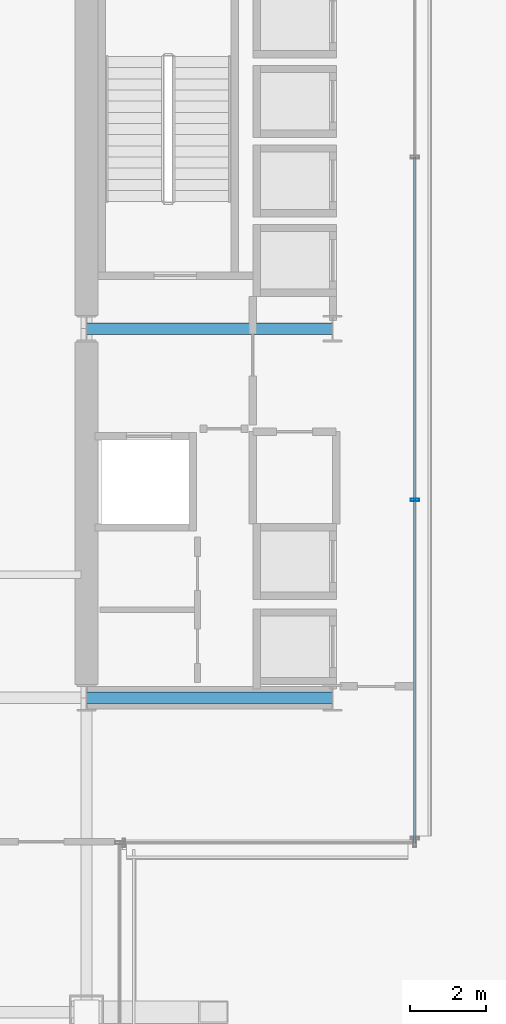
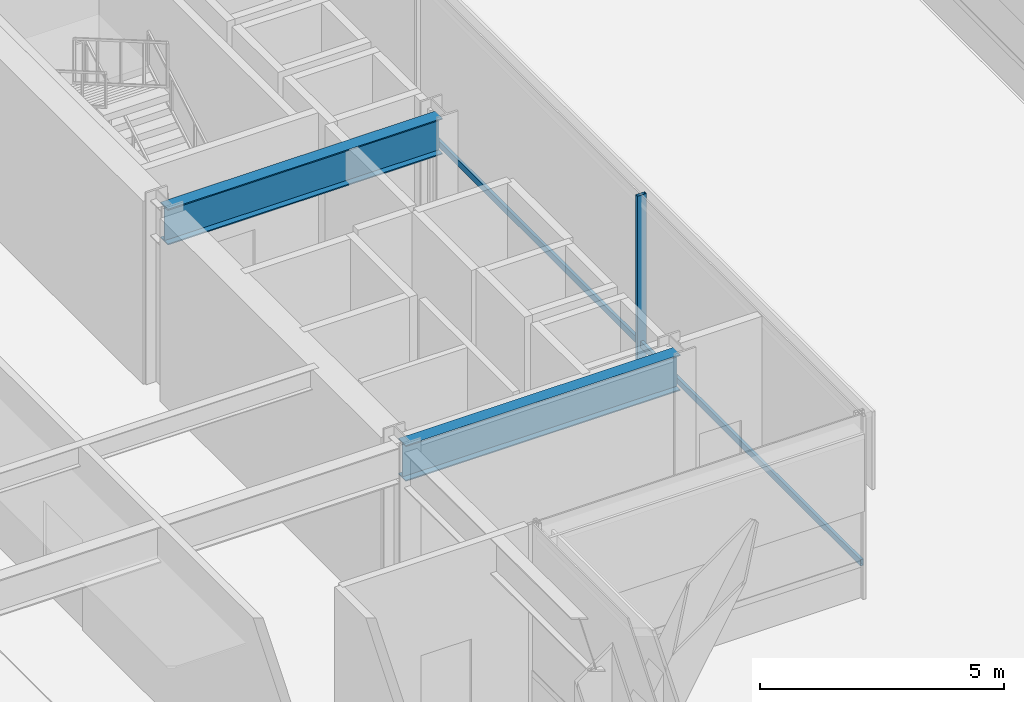
# One storey, part 6 of 37: 3 members, 2 beams, 1 element without a shape of its own.
"""IFC4 building model written with IfcOpenShell, lengths in metres."""

import ifcopenshell
import ifcopenshell.guid

model = None  # the IFC model being written
_history = None  # IfcOwnerHistory: only IFC2X3 demands one
_inside = {}  # id of a spatial element -> (the spatial element, [elements in it])
_under = {}  # id of a project, library or spatial element -> (it, [spatial elements below it])
_declared = {}  # id of a project -> (the project, [libraries it declares])
_typed = {}  # id of a type object -> (the type object, [elements of that type])
_made_of = {}  # id of a material, layer set ... -> (it, [elements and type objects made of it])


def new_model(schema):
    """Start an empty IFC model of exactly this schema.

    Asked for "IFC4X3", IfcOpenShell would pick the latest addendum, in which some entities
    have other attributes; the version numbers below select the first issue.
    IFC2X3 requires an IfcOwnerHistory on every rooted entity: one is made here for all.
    """
    global model, _history
    if schema == "IFC4X3":
        model = ifcopenshell.file(schema_version=(4, 3, 0, 0))
    else:
        model = ifcopenshell.file(schema=schema)
    _inside.clear()
    _under.clear()
    _declared.clear()
    _typed.clear()
    _made_of.clear()
    _history = None
    if model.schema == "IFC2X3":
        org = make("IfcOrganization", Name="unknown")
        user = make(
            "IfcPersonAndOrganization",
            ThePerson=make("IfcPerson", FamilyName="unknown"),
            TheOrganization=org,
        )
        app = make(
            "IfcApplication",
            ApplicationDeveloper=org,
            Version="unknown",
            ApplicationFullName="unknown",
            ApplicationIdentifier="unknown",
        )
        _history = make(
            "IfcOwnerHistory",
            OwningUser=user,
            OwningApplication=app,
            ChangeAction="ADDED",
            CreationDate=0,
        )
    return model


def make(cls, **values):
    """One entity of the class cls with the attributes given. An attribute that is None is left unset."""
    return model.create_entity(
        cls, **{name: value for name, value in values.items() if value is not None}
    )


def rooted(cls, **values):
    """An entity with a GlobalId (a new one), such as an element, a storey or a relation."""
    return make(cls, GlobalId=ifcopenshell.guid.new(), OwnerHistory=_history, **values)


def si_unit(unit_type, name, prefix=None):
    """IfcSIUnit, for example si_unit("LENGTHUNIT", "METRE", prefix="MILLI")."""
    return make("IfcSIUnit", UnitType=unit_type, Prefix=prefix, Name=name)


def assignment(units):
    """IfcUnitAssignment: the units of a project."""
    return None if units is None else make("IfcUnitAssignment", Units=units)


def point(xyz):
    """IfcCartesianPoint."""
    return None if xyz is None else make("IfcCartesianPoint", Coordinates=xyz)


def direction(xyz):
    """IfcDirection."""
    return None if xyz is None else make("IfcDirection", DirectionRatios=xyz)


def frame(location, z_axis=None, x_axis=None):
    """IfcAxis2Placement3D, a coordinate frame: its origin and axes. An axis left out is left unset."""
    return make(
        "IfcAxis2Placement3D",
        Location=point(location),
        Axis=direction(z_axis),
        RefDirection=direction(x_axis),
    )


def frame_2d(location, x_axis=None):
    """IfcAxis2Placement2D, a coordinate frame in the plane: its origin and x axis."""
    return make(
        "IfcAxis2Placement2D", Location=point(location), RefDirection=direction(x_axis)
    )


def origin():
    """The frame at (0, 0, 0) with its axes left unset."""
    return frame((0.0, 0.0, 0.0))


def origin_2d():
    """The frame at (0, 0) in the plane with its x axis left unset."""
    return frame_2d((0.0, 0.0))


def place(relative_to, where):
    """IfcLocalPlacement: puts the frame where relative to a parent placement (None: the world)."""
    return make(
        "IfcLocalPlacement", PlacementRelTo=relative_to, RelativePlacement=where
    )


def context(
    kind, dimensions, precision=None, world=None, true_north=None, identifier=None
):
    """IfcGeometricRepresentationContext, for example the 3D "Model" context."""
    return make(
        "IfcGeometricRepresentationContext",
        ContextIdentifier=identifier,
        ContextType=kind,
        CoordinateSpaceDimension=dimensions,
        Precision=precision,
        WorldCoordinateSystem=world,
        TrueNorth=true_north,
    )


def subcontext(parent, identifier, kind, view, scale=None):
    """IfcGeometricRepresentationSubContext, for example "Body" below "Model"."""
    return make(
        "IfcGeometricRepresentationSubContext",
        ContextIdentifier=identifier,
        ContextType=kind,
        ParentContext=parent,
        TargetScale=scale,
        TargetView=view,
    )


def project(units=None, contexts=None):
    """IfcProject with its units and contexts."""
    return rooted(
        "IfcProject",
        Name="project",
        RepresentationContexts=contexts,
        UnitsInContext=assignment(units),
    )


def spatial(cls, under=None, at=None, **own):
    """A site, building, storey or space (cls), placed at a placement, below another one or the project."""
    s = rooted(cls, ObjectPlacement=at, **own)
    if under is not None:
        _under.setdefault(under.id(), (under, []))[1].append(s)
    return s


def profile(cls, at=None, kind="AREA", **sizes):
    """A parametric profile (cls). Its sizes go by their IFC names, for example OverallWidth=200.0."""
    return make(cls, ProfileType=kind, Position=at, **sizes)


def hollow_rectangle(**sizes):
    """IfcRectangleHollowProfileDef."""
    return profile("IfcRectangleHollowProfileDef", **sizes)


def i_section(**sizes):
    """IfcIShapeProfileDef."""
    return profile("IfcIShapeProfileDef", **sizes)


def extrude(swept, where, along, depth):
    """IfcExtrudedAreaSolid: the profile swept, set in the frame where, extruded along a direction by depth."""
    return make(
        "IfcExtrudedAreaSolid",
        SweptArea=swept,
        Position=where,
        ExtrudedDirection=direction(along),
        Depth=depth,
    )


def shape(context_of_items, identifier, shape_type, items):
    """IfcShapeRepresentation: the items that make up one representation, for example the "Body"."""
    return make(
        "IfcShapeRepresentation",
        ContextOfItems=context_of_items,
        RepresentationIdentifier=identifier,
        RepresentationType=shape_type,
        Items=items,
    )


def material(Name=None, Category=None):
    """IfcMaterial."""
    return make("IfcMaterial", Name=Name, Category=Category)


def layer(
    of_material, thickness, ventilated=None, Name=None, Category=None, Priority=None
):
    """IfcMaterialLayer: one layer of a wall or slab, of a material (None: an air gap)."""
    return make(
        "IfcMaterialLayer",
        Material=of_material,
        LayerThickness=thickness,
        IsVentilated=ventilated,
        Name=Name,
        Category=Category,
        Priority=Priority,
    )


def layer_set(layers, Name=None):
    """IfcMaterialLayerSet."""
    return make("IfcMaterialLayerSet", MaterialLayers=layers, LayerSetName=Name)


def material_profile(
    of_material, cross_section, Name=None, Category=None, Priority=None
):
    """IfcMaterialProfile: a cross section and its material."""
    return make(
        "IfcMaterialProfile",
        Name=Name,
        Material=of_material,
        Profile=cross_section,
        Priority=Priority,
        Category=Category,
    )


def profile_set(profiles, Name=None, composite=None):
    """IfcMaterialProfileSet."""
    return make(
        "IfcMaterialProfileSet",
        Name=Name,
        MaterialProfiles=profiles,
        CompositeProfile=composite,
    )


def made_of(thing, what):
    """Note that an element or type object is made of a material, layer set ...; save() writes the relation."""
    if what is not None:
        _made_of.setdefault(what.id(), (what, []))[1].append(thing)
    return thing


def type_object(cls, material=None, **own):
    """A type object (cls), such as IfcWallType, which elements share."""
    return made_of(rooted(cls, **own), material)


def element(
    cls,
    number,
    at=None,
    inside=None,
    cuts=None,
    type_object=None,
    material=None,
    context=None,
    identifier="Body",
    shape_type=None,
    held_by="IfcProductDefinitionShape",
    body=None,
    shapes=None,
    **own,
):
    """One element of the class cls, such as IfcWall. Its Tag is "e" and its number.

    at: its placement. inside: the storey or other place that contains it. cuts: it is an
    opening in that element (IfcRelVoidsElement). A single representation is given by context,
    identifier, shape_type and body (its items); several are given by shapes. held_by: the class
    of the entity that holds the representations. save() writes the other relations.
    """
    e = rooted(cls, Tag="e%d" % number, ObjectPlacement=at, **own)
    if body is not None:
        shapes = [shape(context, identifier, shape_type, body)]
    if shapes is not None:
        e.Representation = make(held_by, Representations=shapes)
    if inside is not None:
        _inside.setdefault(inside.id(), (inside, []))[1].append(e)
    if cuts is not None:
        rooted(
            "IfcRelVoidsElement", RelatingBuildingElement=cuts, RelatedOpeningElement=e
        )
    if type_object is not None:
        _typed.setdefault(type_object.id(), (type_object, []))[1].append(e)
    return made_of(e, material)


def aggregate(whole, parts):
    """IfcRelAggregates: a whole, such as a stair, and the parts it consists of."""
    return rooted("IfcRelAggregates", RelatingObject=whole, RelatedObjects=parts)


def save(model, path):
    """Write the relations noted so far, then the file.

    IfcRelAggregates (storeys below a building ...), IfcRelContainedInSpatialStructure (elements
    in a storey), IfcRelDefinesByType, IfcRelAssociatesMaterial and IfcRelDeclares: one each for
    every whole, place, type object, material and project.
    """
    for whole, parts in _under.values():
        aggregate(whole, parts)
    for where, things in _inside.values():
        rooted(
            "IfcRelContainedInSpatialStructure",
            RelatedElements=things,
            RelatingStructure=where,
        )
    for kind, things in _typed.values():
        rooted("IfcRelDefinesByType", RelatedObjects=things, RelatingType=kind)
    for what, things in _made_of.values():
        rooted("IfcRelAssociatesMaterial", RelatedObjects=things, RelatingMaterial=what)
    for by, libraries in _declared.values():
        rooted("IfcRelDeclares", RelatingContext=by, RelatedDefinitions=libraries)
    model.write(path)


model = new_model("IFC4")

# Units and contexts
model_context = context("Model", 3, precision=1e-05, world=origin(), true_north=direction((0.0, 1.0)))
body_context = subcontext(model_context, "Body", "Model", "MODEL_VIEW")
ifc_project = project(units=[si_unit("LENGTHUNIT", "METRE"), si_unit("AREAUNIT", "SQUARE_METRE"), si_unit("VOLUMEUNIT", "CUBIC_METRE"), si_unit("PLANEANGLEUNIT", "RADIAN"), si_unit("MASSUNIT", "GRAM", prefix="KILO")], contexts=[model_context])

# Site, building, storey
site_placement = place(None, origin())
site = spatial("IfcSite", under=ifc_project, at=site_placement, CompositionType="ELEMENT")
building_placement = place(site_placement, origin())
building = spatial("IfcBuilding", under=site, at=building_placement, Name="Brelmoor Portico Tower", CompositionType="ELEMENT")
storey_placement = place(building_placement, origin())
storey = spatial("IfcBuildingStorey", under=building, at=storey_placement, Name="L00", CompositionType="ELEMENT", Elevation=0.0)

# Beams
ifc_material_1 = material(Name="Steel Q355B", Category="steel")
ifc_material_profile_1 = material_profile(ifc_material_1, i_section(OverallWidth=0.300048828125, OverallDepth=0.89990234375, WebThickness=0.01611328125, FlangeThickness=0.028076171875, at=origin_2d()), Name="HN 900x300x16x28")
ifc_profile_set_1 = profile_set([ifc_material_profile_1], Name="Steel Q355B")
beam_type = type_object("IfcBeamType", Name="BM-PG-900", PredefinedType="BEAM", material=ifc_profile_set_1)
for number, where, z_axis, x_axis, name in (
    (1, (-14.550048828125, -9.75, 4.1298828125), (1.0, 0.0, 0.0), (0.0, 1.0, 0.0), "L00 Primary Floor Girder PG-26"),
    (2, (-14.550048828125, 0.0, 4.1298828125), (1.0, 0.0, 0.0), (0.0, 1.0, 0.0), "L00 Primary Floor Girder PG-29"),
):
    element("IfcBeam", number, at=place(storey_placement, frame(where, z_axis=z_axis, x_axis=x_axis)), inside=storey, type_object=beam_type, Name=name, PredefinedType="BEAM", context=body_context, shape_type="SweptSolid", body=[
        extrude(i_section(OverallWidth=0.300048828125, OverallDepth=0.89990234375, WebThickness=0.01611328125, FlangeThickness=0.028076171875, at=origin_2d()), origin(), (0.0, 0.0, 1.0), 6.5),
    ])

# Curtain wall, members
ifc_material_2 = material(Name="Anodised Aluminium Alloy 6063-T6", Category="aluminium")
ifc_layer = layer(ifc_material_2, 0.179931640625)
ifc_layer_set = layer_set([ifc_layer], Name="Anodised Aluminium Alloy 6063-T6")
curtain_wall_type = type_object("IfcCurtainWallType", Name="CW-PODIUM-ARCH", PredefinedType="NOTDEFINED", material=ifc_layer_set)
curtain_wall_placement = place(storey_placement, origin())
curtain_wall = element("IfcCurtainWall", 3, at=curtain_wall_placement, inside=storey, type_object=curtain_wall_type, Name="L00 Curtain Wall CW-L00-15", PredefinedType="NOTDEFINED")
ifc_material_profile_2 = material_profile(ifc_material_2, hollow_rectangle(XDim=0.074951171875, YDim=0.219970703125, WallThickness=0.0048828125, at=origin_2d()), Name="ALU MULLION 75x220")
ifc_profile_set_2 = profile_set([ifc_material_profile_2], Name="Anodised Aluminium Alloy 6063-T6")
member_type_1 = type_object("IfcMemberType", Name="MB-CW-MULL-220", PredefinedType="MULLION", material=ifc_profile_set_2)
member_1_placement = place(storey_placement, frame((-5.8798828125, -4.526611328125, -0.219970703125), z_axis=(0.0, 0.0, 1.0), x_axis=(0.0, 1.0, 0.0)))
member_1 = element("IfcMember", 4, at=member_1_placement, type_object=member_type_1, Name="CW-L00-15 Mullion 01", PredefinedType="MULLION", context=body_context, shape_type="SweptSolid", body=[
    extrude(hollow_rectangle(XDim=0.074951171875, YDim=0.219970703125, WallThickness=0.0048828125, at=origin_2d()), origin(), (0.0, 0.0, 1.0), 4.800048828125),
])
ifc_material_profile_3 = material_profile(ifc_material_2, hollow_rectangle(XDim=0.070068359375, YDim=0.159912109375, WallThickness=0.00390625, at=origin_2d()), Name="ALU TRANSOM 70x160")
ifc_profile_set_3 = profile_set([ifc_material_profile_3], Name="Anodised Aluminium Alloy 6063-T6")
member_type_2 = type_object("IfcMemberType", Name="MB-CW-TRAN-160", PredefinedType="USERDEFINED", material=ifc_profile_set_3)
member_2_placement = place(storey_placement, frame((-5.8798828125, -13.580078125, 0.85009765625), z_axis=(0.0, 1.0, 0.0), x_axis=(-1.0, 0.0, 0.0)))
member_2 = element("IfcMember", 5, at=member_2_placement, type_object=member_type_2, Name="CW-L00-15 Transom 1-00", ObjectType="TRANSOM", PredefinedType="USERDEFINED", context=body_context, shape_type="SweptSolid", body=[
    extrude(hollow_rectangle(XDim=0.070068359375, YDim=0.159912109375, WallThickness=0.00390625, at=origin_2d()), origin(), (0.0, 0.0, 1.0), 9.053466796875),
])
member_3_placement = place(storey_placement, frame((-5.8798828125, -4.526611328125, 0.85009765625), z_axis=(0.0, 1.0, 0.0), x_axis=(-1.0, 0.0, 0.0)))
member_3 = element("IfcMember", 6, at=member_3_placement, type_object=member_type_2, Name="CW-L00-15 Transom 1-01", ObjectType="TRANSOM", PredefinedType="USERDEFINED", context=body_context, shape_type="SweptSolid", body=[
    extrude(hollow_rectangle(XDim=0.070068359375, YDim=0.159912109375, WallThickness=0.00390625, at=origin_2d()), origin(), (0.0, 0.0, 1.0), 9.05322265625),
])
aggregate(curtain_wall, [member_1, member_2, member_3])

save(model, "model.ifc")
